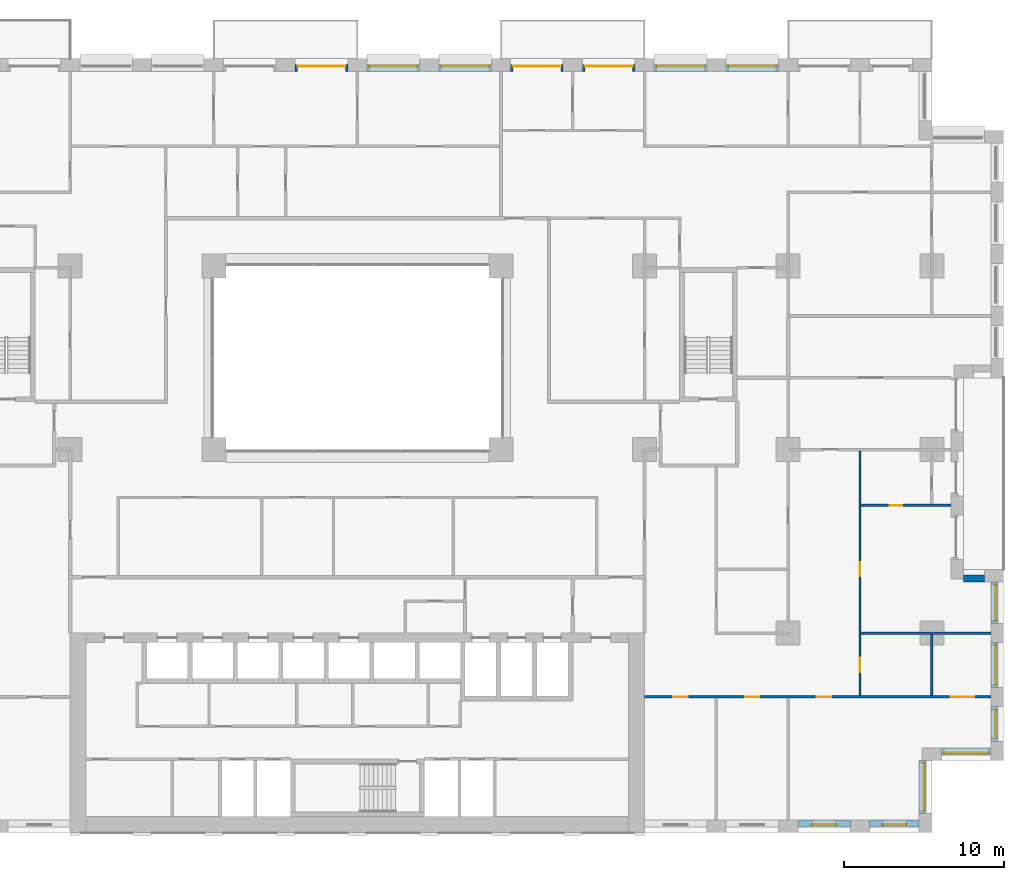
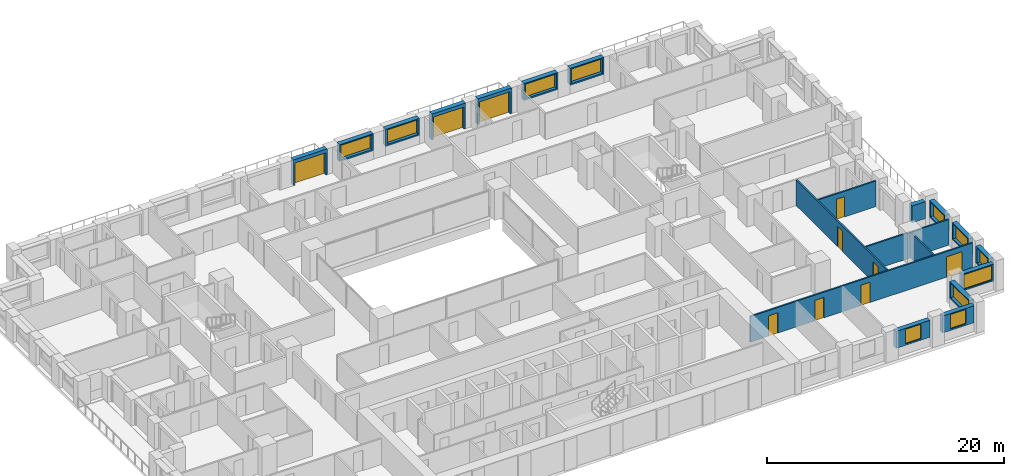
# One storey, part 16 of 20: 20 walls, 11 windows, 10 doors, 21 openings.
"""IFC4 building model written with IfcOpenShell, lengths in metres."""

from ifc_helpers import new_model, si_unit, direction, frame, frame_2d, origin, place, context, subcontext, project, spatial, rectangle, extrude, material, layer, layer_set, type_object, element, fill, save


model = new_model("IFC4")

# Units and contexts
model_context = context("Model", 3, precision=1e-05, world=origin(), true_north=direction((0.0, 1.0)))
body_context = subcontext(model_context, "Body", "Model", "MODEL_VIEW")
ifc_project = project(units=[si_unit("LENGTHUNIT", "METRE"), si_unit("AREAUNIT", "SQUARE_METRE"), si_unit("VOLUMEUNIT", "CUBIC_METRE"), si_unit("PLANEANGLEUNIT", "RADIAN"), si_unit("MASSUNIT", "GRAM", prefix="KILO")], contexts=[model_context])

# Site, building, storey
site_placement = place(None, origin())
site = spatial("IfcSite", under=ifc_project, at=site_placement, CompositionType="ELEMENT")
building_placement = place(site_placement, origin())
building = spatial("IfcBuilding", under=site, at=building_placement, Name="Brigalow Station Residences", CompositionType="ELEMENT")
storey_placement = place(building_placement, frame((0.0, 0.0, 69.89990234375)))
storey = spatial("IfcBuildingStorey", under=building, at=storey_placement, Name="L20", CompositionType="ELEMENT", Elevation=69.89990234375)

# Wall, opening, window
ifc_material_1 = material(Name="Clay brick masonry", Category="masonry")
ifc_layer_1 = layer(ifc_material_1, 0.449951171875)
ifc_layer_set_1 = layer_set([ifc_layer_1], Name="BRICK INFILL WALL 450")
wall_type_1 = type_object("IfcWallType", Name="BRICK INFILL WALL 450", PredefinedType="SOLIDWALL", material=ifc_layer_set_1)
wall_1_placement = place(storey_placement, frame((63.60009765625, 0.574951171875, 0.900146484375), z_axis=(0.0, 0.0, 1.0), x_axis=(1.0, 0.0, 0.0)))
wall_1 = element("IfcWall", 1, at=wall_1_placement, inside=storey, type_object=wall_type_1, Name="L20/ewall/W-L20-7", PredefinedType="SOLIDWALL", context=body_context, shape_type="SweptSolid", body=[
    extrude(rectangle(XDim=3.2998046875, YDim=0.449951171875, at=frame_2d((1.64990234375, 0.0))), origin(), (0.0, 0.0, 1.0), 1.75),
])
opening_1_placement = place(wall_1_placement, frame((0.89990234375, 0.0, 0.14990234375)))
opening_1 = element("IfcOpeningElement", 2, at=opening_1_placement, cuts=wall_1, Name="Opening WT-1", PredefinedType="OPENING", context=body_context, shape_type="SweptSolid", body=[
    extrude(rectangle(XDim=1.5, YDim=1.5, at=frame_2d((0.75, 0.75))), frame((0.0, 0.23486328125, 0.0), z_axis=(0.0, -1.0, 0.0), x_axis=(1.0, 0.0, 0.0)), (0.0, 0.0, 1.0), 0.469970703125),
])
ifc_material_2 = material(Name="Anodised aluminium frame with double glazing", Category="aluminium")
window_type_1 = type_object("IfcWindowType", Name="WINDOW 1500x1500", PartitioningType="SINGLE_PANEL", PredefinedType="WINDOW", material=ifc_material_2)
window_1_placement = place(opening_1_placement, origin())
window_1 = element("IfcWindow", 3, at=window_1_placement, inside=storey, type_object=window_type_1, Name="L20/window/W-L20-7", OverallHeight=1.5, OverallWidth=1.5, PartitioningType="SINGLE_PANEL", PredefinedType="WINDOW", context=body_context, shape_type="SweptSolid", body=[
    extrude(rectangle(XDim=1.5, YDim=1.5, at=frame_2d((0.75, 0.75))), frame((0.0, -0.06494140625, 0.0), z_axis=(0.0, -1.0, 0.0), x_axis=(1.0, 0.0, 0.0)), (0.0, 0.0, 1.0), 0.06005859375),
])
fill(opening_1, window_1)

wall_2_placement = place(storey_placement, frame((68.10009765625, 0.574951171875, 0.900146484375), z_axis=(0.0, 0.0, 1.0), x_axis=(1.0, 0.0, 0.0)))
wall_2 = element("IfcWall", 4, at=wall_2_placement, inside=storey, type_object=wall_type_1, Name="L20/ewall/W-L20-8", PredefinedType="SOLIDWALL", context=body_context, shape_type="SweptSolid", body=[
    extrude(rectangle(XDim=3.099853515625, YDim=0.449951171875, at=frame_2d((1.5498046875, 0.0))), origin(), (0.0, 0.0, 1.0), 1.75),
])
opening_2_placement = place(wall_2_placement, frame((0.800048828125, 0.0, 0.14990234375)))
opening_2 = element("IfcOpeningElement", 5, at=opening_2_placement, cuts=wall_2, Name="Opening WT-1", PredefinedType="OPENING", context=body_context, shape_type="SweptSolid", body=[
    extrude(rectangle(XDim=1.5, YDim=1.5, at=frame_2d((0.75, 0.75))), frame((0.0, 0.23486328125, 0.0), z_axis=(0.0, -1.0, 0.0), x_axis=(1.0, 0.0, 0.0)), (0.0, 0.0, 1.0), 0.469970703125),
])
window_2_placement = place(opening_2_placement, origin())
window_2 = element("IfcWindow", 6, at=window_2_placement, inside=storey, type_object=window_type_1, Name="L20/window/W-L20-8", OverallHeight=1.5, OverallWidth=1.5, PartitioningType="SINGLE_PANEL", PredefinedType="WINDOW", context=body_context, shape_type="SweptSolid", body=[
    extrude(rectangle(XDim=1.5, YDim=1.5, at=frame_2d((0.75, 0.75))), frame((0.0, -0.06494140625, 0.0), z_axis=(0.0, -1.0, 0.0), x_axis=(1.0, 0.0, 0.0)), (0.0, 0.0, 1.0), 0.06005859375),
])
fill(opening_2, window_2)

wall_3_placement = place(storey_placement, frame((71.425048828125, 1.199951171875, 0.900146484375), z_axis=(0.0, 0.0, 1.0), x_axis=(0.0, 1.0, 0.0)))
wall_3 = element("IfcWall", 7, at=wall_3_placement, inside=storey, type_object=wall_type_1, Name="L20/ewall/W-L20-9", PredefinedType="SOLIDWALL", context=body_context, shape_type="SweptSolid", body=[
    extrude(rectangle(XDim=3.300048828125, YDim=0.449951171875, at=frame_2d((1.64990234375, 0.0))), origin(), (0.0, 0.0, 1.0), 1.75),
])
opening_3_placement = place(wall_3_placement, frame((0.14990234375, 0.0, 0.14990234375)))
opening_3 = element("IfcOpeningElement", 8, at=opening_3_placement, cuts=wall_3, Name="Opening WT-2", PredefinedType="OPENING", context=body_context, shape_type="SweptSolid", body=[
    extrude(rectangle(XDim=3.0, YDim=1.5, at=frame_2d((1.5, 0.75))), frame((0.0, 0.23486328125, 0.0), z_axis=(0.0, -1.0, 0.0), x_axis=(1.0, 0.0, 0.0)), (0.0, 0.0, 1.0), 0.469970703125),
])
ifc_material_3 = material(Name="Anodised aluminium frame with double glazing", Category="aluminium")
window_type_2 = type_object("IfcWindowType", Name="WINDOW 3000x1500", PartitioningType="SINGLE_PANEL", PredefinedType="WINDOW", material=ifc_material_3)
window_3_placement = place(opening_3_placement, origin())
window_3 = element("IfcWindow", 9, at=window_3_placement, inside=storey, type_object=window_type_2, Name="L20/window/W-L20-9", OverallHeight=1.5, OverallWidth=3.0, PartitioningType="SINGLE_PANEL", PredefinedType="WINDOW", context=body_context, shape_type="SweptSolid", body=[
    extrude(rectangle(XDim=3.0, YDim=1.5, at=frame_2d((1.5, 0.75))), frame((0.0, -0.06494140625, 0.0), z_axis=(0.0, -1.0, 0.0), x_axis=(1.0, 0.0, 0.0)), (0.0, 0.0, 1.0), 0.06005859375),
])
fill(opening_3, window_3)

wall_4_placement = place(storey_placement, frame((72.60009765625, 5.074951171875, 0.900146484375), z_axis=(0.0, 0.0, 1.0), x_axis=(1.0, 0.0, 0.0)))
wall_4 = element("IfcWall", 10, at=wall_4_placement, inside=storey, type_object=wall_type_1, Name="L20/ewall/W-L20-10", PredefinedType="SOLIDWALL", context=body_context, shape_type="SweptSolid", body=[
    extrude(rectangle(XDim=3.099853515625, YDim=0.449951171875, at=frame_2d((1.5498046875, 0.0))), origin(), (0.0, 0.0, 1.0), 1.75),
])
opening_4_placement = place(wall_4_placement, frame((0.175048828125, 0.0, 0.14990234375)))
opening_4 = element("IfcOpeningElement", 11, at=opening_4_placement, cuts=wall_4, Name="Opening WT-3", PredefinedType="OPENING", context=body_context, shape_type="SweptSolid", body=[
    extrude(rectangle(XDim=2.75, YDim=1.5, at=frame_2d((1.375, 0.75))), frame((0.0, 0.23486328125, 0.0), z_axis=(0.0, -1.0, 0.0), x_axis=(1.0, 0.0, 0.0)), (0.0, 0.0, 1.0), 0.469970703125),
])
ifc_material_4 = material(Name="Anodised aluminium frame with double glazing", Category="aluminium")
window_type_3 = type_object("IfcWindowType", Name="WINDOW 2750x1500", PartitioningType="SINGLE_PANEL", PredefinedType="WINDOW", material=ifc_material_4)
window_4_placement = place(opening_4_placement, origin())
window_4 = element("IfcWindow", 12, at=window_4_placement, inside=storey, type_object=window_type_3, Name="L20/window/W-L20-10", OverallHeight=1.5, OverallWidth=2.75, PartitioningType="SINGLE_PANEL", PredefinedType="WINDOW", context=body_context, shape_type="SweptSolid", body=[
    extrude(rectangle(XDim=2.75, YDim=1.5, at=frame_2d((1.375, 0.75))), frame((0.0, -0.06494140625, 0.0), z_axis=(0.0, -1.0, 0.0), x_axis=(1.0, 0.0, 0.0)), (0.0, 0.0, 1.0), 0.06005859375),
])
fill(opening_4, window_4)

wall_5_placement = place(storey_placement, frame((75.925048828125, 5.699951171875, 0.900146484375), z_axis=(0.0, 0.0, 1.0), x_axis=(0.0, 1.0, 0.0)))
wall_5 = element("IfcWall", 13, at=wall_5_placement, inside=storey, type_object=wall_type_1, Name="L20/ewall/W-L20-11", PredefinedType="SOLIDWALL", context=body_context, shape_type="SweptSolid", body=[
    extrude(rectangle(XDim=2.199951171875, YDim=0.449951171875, at=frame_2d((1.10009765625, 0.0))), origin(), (0.0, 0.0, 1.0), 1.75),
])
opening_5_placement = place(wall_5_placement, frame((0.22509765625, 0.0, 0.14990234375)))
opening_5 = element("IfcOpeningElement", 14, at=opening_5_placement, cuts=wall_5, Name="Opening WT-4", PredefinedType="OPENING", context=body_context, shape_type="SweptSolid", body=[
    extrude(rectangle(XDim=1.75, YDim=1.5, at=frame_2d((0.875, 0.75))), frame((0.0, 0.23486328125, 0.0), z_axis=(0.0, -1.0, 0.0), x_axis=(1.0, 0.0, 0.0)), (0.0, 0.0, 1.0), 0.469970703125),
])
ifc_material_5 = material(Name="Anodised aluminium frame with double glazing", Category="aluminium")
window_type_4 = type_object("IfcWindowType", Name="WINDOW 1750x1500", PartitioningType="SINGLE_PANEL", PredefinedType="WINDOW", material=ifc_material_5)
window_5_placement = place(opening_5_placement, origin())
window_5 = element("IfcWindow", 15, at=window_5_placement, inside=storey, type_object=window_type_4, Name="L20/window/W-L20-11", OverallHeight=1.5, OverallWidth=1.75, PartitioningType="SINGLE_PANEL", PredefinedType="WINDOW", context=body_context, shape_type="SweptSolid", body=[
    extrude(rectangle(XDim=1.75, YDim=1.5, at=frame_2d((0.875, 0.75))), frame((0.0, -0.06494140625, 0.0), z_axis=(0.0, -1.0, 0.0), x_axis=(1.0, 0.0, 0.0)), (0.0, 0.0, 1.0), 0.06005859375),
])
fill(opening_5, window_5)

wall_6_placement = place(storey_placement, frame((75.925048828125, 9.10009765625, 0.900146484375), z_axis=(0.0, 0.0, 1.0), x_axis=(0.0, 1.0, 0.0)))
wall_6 = element("IfcWall", 16, at=wall_6_placement, inside=storey, type_object=wall_type_1, Name="L20/ewall/W-L20-12", PredefinedType="SOLIDWALL", context=body_context, shape_type="SweptSolid", body=[
    extrude(rectangle(XDim=2.7998046875, YDim=0.449951171875, at=frame_2d((1.39990234375, 0.0))), origin(), (0.0, 0.0, 1.0), 1.75),
])
opening_6_placement = place(wall_6_placement, frame((0.14990234375, 0.0, 0.14990234375)))
opening_6 = element("IfcOpeningElement", 17, at=opening_6_placement, cuts=wall_6, Name="Opening WT-5", PredefinedType="OPENING", context=body_context, shape_type="SweptSolid", body=[
    extrude(rectangle(XDim=2.5, YDim=1.5, at=frame_2d((1.25, 0.75))), frame((0.0, 0.23486328125, 0.0), z_axis=(0.0, -1.0, 0.0), x_axis=(1.0, 0.0, 0.0)), (0.0, 0.0, 1.0), 0.469970703125),
])
ifc_material_6 = material(Name="Anodised aluminium frame with double glazing", Category="aluminium")
window_type_5 = type_object("IfcWindowType", Name="WINDOW 2500x1500", PartitioningType="SINGLE_PANEL", PredefinedType="WINDOW", material=ifc_material_6)
window_6_placement = place(opening_6_placement, origin())
window_6 = element("IfcWindow", 18, at=window_6_placement, inside=storey, type_object=window_type_5, Name="L20/window/W-L20-12", OverallHeight=1.5, OverallWidth=2.5, PartitioningType="SINGLE_PANEL", PredefinedType="WINDOW", context=body_context, shape_type="SweptSolid", body=[
    extrude(rectangle(XDim=2.5, YDim=1.5, at=frame_2d((1.25, 0.75))), frame((0.0, -0.06494140625, 0.0), z_axis=(0.0, -1.0, 0.0), x_axis=(1.0, 0.0, 0.0)), (0.0, 0.0, 1.0), 0.06005859375),
])
fill(opening_6, window_6)

wall_7_placement = place(storey_placement, frame((75.925048828125, 13.10009765625, 0.900146484375), z_axis=(0.0, 0.0, 1.0), x_axis=(0.0, 1.0, 0.0)))
wall_7 = element("IfcWall", 19, at=wall_7_placement, inside=storey, type_object=wall_type_1, Name="L20/ewall/W-L20-13", PredefinedType="SOLIDWALL", context=body_context, shape_type="SweptSolid", body=[
    extrude(rectangle(XDim=2.599853515625, YDim=0.449951171875, at=frame_2d((1.2998046875, 0.0))), origin(), (0.0, 0.0, 1.0), 1.75),
])
opening_7_placement = place(wall_7_placement, frame((0.175048828125, 0.0, 0.14990234375)))
opening_7 = element("IfcOpeningElement", 20, at=opening_7_placement, cuts=wall_7, Name="Opening WT-6", PredefinedType="OPENING", context=body_context, shape_type="SweptSolid", body=[
    extrude(rectangle(XDim=2.25, YDim=1.5, at=frame_2d((1.125, 0.75))), frame((0.0, 0.23486328125, 0.0), z_axis=(0.0, -1.0, 0.0), x_axis=(1.0, 0.0, 0.0)), (0.0, 0.0, 1.0), 0.469970703125),
])
ifc_material_7 = material(Name="Anodised aluminium frame with double glazing", Category="aluminium")
window_type_6 = type_object("IfcWindowType", Name="WINDOW 2250x1500", PartitioningType="SINGLE_PANEL", PredefinedType="WINDOW", material=ifc_material_7)
window_7_placement = place(opening_7_placement, origin())
window_7 = element("IfcWindow", 21, at=window_7_placement, inside=storey, type_object=window_type_6, Name="L20/window/W-L20-13", OverallHeight=1.5, OverallWidth=2.25, PartitioningType="SINGLE_PANEL", PredefinedType="WINDOW", context=body_context, shape_type="SweptSolid", body=[
    extrude(rectangle(XDim=2.25, YDim=1.5, at=frame_2d((1.125, 0.75))), frame((0.0, -0.06494140625, 0.0), z_axis=(0.0, -1.0, 0.0), x_axis=(1.0, 0.0, 0.0)), (0.0, 0.0, 1.0), 0.06005859375),
])
fill(opening_7, window_7)

# Wall
wall_8_placement = place(storey_placement, frame((75.300048828125, 15.925048828125, 0.900146484375), z_axis=(0.0, 0.0, 1.0), x_axis=(-1.0, 0.0, 0.0)))
element("IfcWall", 22, at=wall_8_placement, inside=storey, type_object=wall_type_1, Name="L20/ewall/W-L20-14", PredefinedType="SOLIDWALL", context=body_context, shape_type="SweptSolid", body=[
    extrude(rectangle(XDim=1.300048828125, YDim=0.449951171875, at=frame_2d((0.64990234375, 0.0))), origin(), (0.0, 0.0, 1.0), 1.75),
])

# Wall, opening, window
wall_9_placement = place(storey_placement, frame((62.39990234375, 47.925048828125, 0.900146484375), z_axis=(0.0, 0.0, 1.0), x_axis=(-1.0, 0.0, 0.0)))
wall_9 = element("IfcWall", 23, at=wall_9_placement, inside=storey, type_object=wall_type_1, Name="L20/ewall/W-L20-27", PredefinedType="SOLIDWALL", context=body_context, shape_type="SweptSolid", body=[
    extrude(rectangle(XDim=3.2998046875, YDim=0.449951171875, at=frame_2d((1.64990234375, 0.0))), origin(), (0.0, 0.0, 1.0), 1.75),
])
opening_8_placement = place(wall_9_placement, frame((0.14990234375, 0.0, 0.14990234375)))
opening_8 = element("IfcOpeningElement", 24, at=opening_8_placement, cuts=wall_9, Name="Opening WT-2", PredefinedType="OPENING", context=body_context, shape_type="SweptSolid", body=[
    extrude(rectangle(XDim=3.0, YDim=1.5, at=frame_2d((1.5, 0.75))), frame((0.0, 0.23486328125, 0.0), z_axis=(0.0, -1.0, 0.0), x_axis=(1.0, 0.0, 0.0)), (0.0, 0.0, 1.0), 0.469970703125),
])
window_8_placement = place(opening_8_placement, origin())
window_8 = element("IfcWindow", 25, at=window_8_placement, inside=storey, type_object=window_type_2, Name="L20/window/W-L20-27", OverallHeight=1.5, OverallWidth=3.0, PartitioningType="SINGLE_PANEL", PredefinedType="WINDOW", context=body_context, shape_type="SweptSolid", body=[
    extrude(rectangle(XDim=3.0, YDim=1.5, at=frame_2d((1.5, 0.75))), frame((0.0, -0.06494140625, 0.0), z_axis=(0.0, -1.0, 0.0), x_axis=(1.0, 0.0, 0.0)), (0.0, 0.0, 1.0), 0.06005859375),
])
fill(opening_8, window_8)

wall_10_placement = place(storey_placement, frame((57.89990234375, 47.925048828125, 0.900146484375), z_axis=(0.0, 0.0, 1.0), x_axis=(-1.0, 0.0, 0.0)))
wall_10 = element("IfcWall", 26, at=wall_10_placement, inside=storey, type_object=wall_type_1, Name="L20/ewall/W-L20-28", PredefinedType="SOLIDWALL", context=body_context, shape_type="SweptSolid", body=[
    extrude(rectangle(XDim=3.2998046875, YDim=0.449951171875, at=frame_2d((1.64990234375, 0.0))), origin(), (0.0, 0.0, 1.0), 1.75),
])
opening_9_placement = place(wall_10_placement, frame((0.14990234375, 0.0, 0.14990234375)))
opening_9 = element("IfcOpeningElement", 27, at=opening_9_placement, cuts=wall_10, Name="Opening WT-2", PredefinedType="OPENING", context=body_context, shape_type="SweptSolid", body=[
    extrude(rectangle(XDim=3.0, YDim=1.5, at=frame_2d((1.5, 0.75))), frame((0.0, 0.23486328125, 0.0), z_axis=(0.0, -1.0, 0.0), x_axis=(1.0, 0.0, 0.0)), (0.0, 0.0, 1.0), 0.469970703125),
])
window_9_placement = place(opening_9_placement, origin())
window_9 = element("IfcWindow", 28, at=window_9_placement, inside=storey, type_object=window_type_2, Name="L20/window/W-L20-28", OverallHeight=1.5, OverallWidth=3.0, PartitioningType="SINGLE_PANEL", PredefinedType="WINDOW", context=body_context, shape_type="SweptSolid", body=[
    extrude(rectangle(XDim=3.0, YDim=1.5, at=frame_2d((1.5, 0.75))), frame((0.0, -0.06494140625, 0.0), z_axis=(0.0, -1.0, 0.0), x_axis=(1.0, 0.0, 0.0)), (0.0, 0.0, 1.0), 0.06005859375),
])
fill(opening_9, window_9)

# Wall, opening, door
wall_11_placement = place(storey_placement, frame((53.39990234375, 47.925048828125, 0.0), z_axis=(0.0, 0.0, 1.0), x_axis=(-1.0, 0.0, 0.0)))
wall_11 = element("IfcWall", 29, at=wall_11_placement, inside=storey, type_object=wall_type_1, Name="L20/ewall/W-L20-29", PredefinedType="SOLIDWALL", context=body_context, shape_type="SweptSolid", body=[
    extrude(rectangle(XDim=3.2998046875, YDim=0.449951171875, at=frame_2d((1.64990234375, 0.0))), origin(), (0.0, 0.0, 1.0), 2.650146484375),
])
opening_10_placement = place(wall_11_placement, frame((0.14990234375, 0.0, 0.0)))
opening_10 = element("IfcOpeningElement", 30, at=opening_10_placement, cuts=wall_11, Name="Opening D-B3000", PredefinedType="OPENING", context=body_context, shape_type="SweptSolid", body=[
    extrude(rectangle(XDim=3.0, YDim=2.300048828125, at=frame_2d((1.5, 1.14990234375))), frame((0.0, 0.23486328125, 0.0), z_axis=(0.0, -1.0, 0.0), x_axis=(1.0, 0.0, 0.0)), (0.0, 0.0, 1.0), 0.469970703125),
])
ifc_material_8 = material(Name="Anodised aluminium frame with double glazing", Category="aluminium")
door_type_1 = type_object("IfcDoorType", Name="BALCONY SLIDING DOOR 3000x2300", OperationType="SLIDING_TO_LEFT", PredefinedType="DOOR", material=ifc_material_8)
door_1_placement = place(opening_10_placement, origin())
door_1 = element("IfcDoor", 31, at=door_1_placement, inside=storey, type_object=door_type_1, Name="L20/balcony-door/W-L20-29", OperationType="SLIDING_TO_LEFT", OverallHeight=2.300048828125, OverallWidth=3.0, PredefinedType="DOOR", context=body_context, shape_type="SweptSolid", body=[
    extrude(rectangle(XDim=3.0, YDim=2.300048828125, at=frame_2d((1.5, 1.14990234375))), frame((0.0, -0.06982421875, 0.0), z_axis=(0.0, -1.0, 0.0), x_axis=(1.0, 0.0, 0.0)), (0.0, 0.0, 1.0), 0.050048828125),
])
fill(opening_10, door_1)

wall_12_placement = place(storey_placement, frame((48.89990234375, 47.925048828125, 0.0), z_axis=(0.0, 0.0, 1.0), x_axis=(-1.0, 0.0, 0.0)))
wall_12 = element("IfcWall", 32, at=wall_12_placement, inside=storey, type_object=wall_type_1, Name="L20/ewall/W-L20-30", PredefinedType="SOLIDWALL", context=body_context, shape_type="SweptSolid", body=[
    extrude(rectangle(XDim=3.2998046875, YDim=0.449951171875, at=frame_2d((1.64990234375, 0.0))), origin(), (0.0, 0.0, 1.0), 2.650146484375),
])
opening_11_placement = place(wall_12_placement, frame((0.14990234375, 0.0, 0.0)))
opening_11 = element("IfcOpeningElement", 33, at=opening_11_placement, cuts=wall_12, Name="Opening D-B3000", PredefinedType="OPENING", context=body_context, shape_type="SweptSolid", body=[
    extrude(rectangle(XDim=3.0, YDim=2.300048828125, at=frame_2d((1.5, 1.14990234375))), frame((0.0, 0.23486328125, 0.0), z_axis=(0.0, -1.0, 0.0), x_axis=(1.0, 0.0, 0.0)), (0.0, 0.0, 1.0), 0.469970703125),
])
door_2_placement = place(opening_11_placement, origin())
door_2 = element("IfcDoor", 34, at=door_2_placement, inside=storey, type_object=door_type_1, Name="L20/balcony-door/W-L20-30", OperationType="SLIDING_TO_LEFT", OverallHeight=2.300048828125, OverallWidth=3.0, PredefinedType="DOOR", context=body_context, shape_type="SweptSolid", body=[
    extrude(rectangle(XDim=3.0, YDim=2.300048828125, at=frame_2d((1.5, 1.14990234375))), frame((0.0, -0.06982421875, 0.0), z_axis=(0.0, -1.0, 0.0), x_axis=(1.0, 0.0, 0.0)), (0.0, 0.0, 1.0), 0.050048828125),
])
fill(opening_11, door_2)

# Wall, opening, window
wall_13_placement = place(storey_placement, frame((44.39990234375, 47.925048828125, 0.900146484375), z_axis=(0.0, 0.0, 1.0), x_axis=(-1.0, 0.0, 0.0)))
wall_13 = element("IfcWall", 35, at=wall_13_placement, inside=storey, type_object=wall_type_1, Name="L20/ewall/W-L20-31", PredefinedType="SOLIDWALL", context=body_context, shape_type="SweptSolid", body=[
    extrude(rectangle(XDim=3.2998046875, YDim=0.449951171875, at=frame_2d((1.64990234375, 0.0))), origin(), (0.0, 0.0, 1.0), 1.75),
])
opening_12_placement = place(wall_13_placement, frame((0.14990234375, 0.0, 0.14990234375)))
opening_12 = element("IfcOpeningElement", 36, at=opening_12_placement, cuts=wall_13, Name="Opening WT-2", PredefinedType="OPENING", context=body_context, shape_type="SweptSolid", body=[
    extrude(rectangle(XDim=3.0, YDim=1.5, at=frame_2d((1.5, 0.75))), frame((0.0, 0.23486328125, 0.0), z_axis=(0.0, -1.0, 0.0), x_axis=(1.0, 0.0, 0.0)), (0.0, 0.0, 1.0), 0.469970703125),
])
window_10_placement = place(opening_12_placement, origin())
window_10 = element("IfcWindow", 37, at=window_10_placement, inside=storey, type_object=window_type_2, Name="L20/window/W-L20-31", OverallHeight=1.5, OverallWidth=3.0, PartitioningType="SINGLE_PANEL", PredefinedType="WINDOW", context=body_context, shape_type="SweptSolid", body=[
    extrude(rectangle(XDim=3.0, YDim=1.5, at=frame_2d((1.5, 0.75))), frame((0.0, -0.06494140625, 0.0), z_axis=(0.0, -1.0, 0.0), x_axis=(1.0, 0.0, 0.0)), (0.0, 0.0, 1.0), 0.06005859375),
])
fill(opening_12, window_10)

wall_14_placement = place(storey_placement, frame((39.89990234375, 47.925048828125, 0.900146484375), z_axis=(0.0, 0.0, 1.0), x_axis=(-1.0, 0.0, 0.0)))
wall_14 = element("IfcWall", 38, at=wall_14_placement, inside=storey, type_object=wall_type_1, Name="L20/ewall/W-L20-32", PredefinedType="SOLIDWALL", context=body_context, shape_type="SweptSolid", body=[
    extrude(rectangle(XDim=3.2998046875, YDim=0.449951171875, at=frame_2d((1.64990234375, 0.0))), origin(), (0.0, 0.0, 1.0), 1.75),
])
opening_13_placement = place(wall_14_placement, frame((0.14990234375, 0.0, 0.14990234375)))
opening_13 = element("IfcOpeningElement", 39, at=opening_13_placement, cuts=wall_14, Name="Opening WT-2", PredefinedType="OPENING", context=body_context, shape_type="SweptSolid", body=[
    extrude(rectangle(XDim=3.0, YDim=1.5, at=frame_2d((1.5, 0.75))), frame((0.0, 0.23486328125, 0.0), z_axis=(0.0, -1.0, 0.0), x_axis=(1.0, 0.0, 0.0)), (0.0, 0.0, 1.0), 0.469970703125),
])
window_11_placement = place(opening_13_placement, origin())
window_11 = element("IfcWindow", 40, at=window_11_placement, inside=storey, type_object=window_type_2, Name="L20/window/W-L20-32", OverallHeight=1.5, OverallWidth=3.0, PartitioningType="SINGLE_PANEL", PredefinedType="WINDOW", context=body_context, shape_type="SweptSolid", body=[
    extrude(rectangle(XDim=3.0, YDim=1.5, at=frame_2d((1.5, 0.75))), frame((0.0, -0.06494140625, 0.0), z_axis=(0.0, -1.0, 0.0), x_axis=(1.0, 0.0, 0.0)), (0.0, 0.0, 1.0), 0.06005859375),
])
fill(opening_13, window_11)

# Wall, opening, door
wall_15_placement = place(storey_placement, frame((35.39990234375, 47.925048828125, 0.0), z_axis=(0.0, 0.0, 1.0), x_axis=(-1.0, 0.0, 0.0)))
wall_15 = element("IfcWall", 41, at=wall_15_placement, inside=storey, type_object=wall_type_1, Name="L20/ewall/W-L20-33", PredefinedType="SOLIDWALL", context=body_context, shape_type="SweptSolid", body=[
    extrude(rectangle(XDim=3.2998046875, YDim=0.449951171875, at=frame_2d((1.64990234375, 0.0))), origin(), (0.0, 0.0, 1.0), 2.650146484375),
])
opening_14_placement = place(wall_15_placement, frame((0.14990234375, 0.0, 0.0)))
opening_14 = element("IfcOpeningElement", 42, at=opening_14_placement, cuts=wall_15, Name="Opening D-B3000", PredefinedType="OPENING", context=body_context, shape_type="SweptSolid", body=[
    extrude(rectangle(XDim=3.0, YDim=2.300048828125, at=frame_2d((1.5, 1.14990234375))), frame((0.0, 0.23486328125, 0.0), z_axis=(0.0, -1.0, 0.0), x_axis=(1.0, 0.0, 0.0)), (0.0, 0.0, 1.0), 0.469970703125),
])
door_3_placement = place(opening_14_placement, origin())
door_3 = element("IfcDoor", 43, at=door_3_placement, inside=storey, type_object=door_type_1, Name="L20/balcony-door/W-L20-33", OperationType="SLIDING_TO_LEFT", OverallHeight=2.300048828125, OverallWidth=3.0, PredefinedType="DOOR", context=body_context, shape_type="SweptSolid", body=[
    extrude(rectangle(XDim=3.0, YDim=2.300048828125, at=frame_2d((1.5, 1.14990234375))), frame((0.0, -0.06982421875, 0.0), z_axis=(0.0, -1.0, 0.0), x_axis=(1.0, 0.0, 0.0)), (0.0, 0.0, 1.0), 0.050048828125),
])
fill(opening_14, door_3)

# Wall, openings, doors
ifc_material_9 = material(Name="Plasterboard on steel stud partition", Category="steel")
ifc_layer_2 = layer(ifc_material_9, 0.14990234375)
ifc_layer_set_2 = layer_set([ifc_layer_2], Name="FLAT PARTITION 150")
wall_type_2 = type_object("IfcWallType", Name="FLAT PARTITION 150", PredefinedType="PARTITIONING", material=ifc_layer_set_2)
wall_16_placement = place(storey_placement, frame((54.0, 8.5, 0.0), z_axis=(0.0, 0.0, 1.0), x_axis=(1.0, 0.0, 0.0)))
wall_16 = element("IfcWall", 44, at=wall_16_placement, inside=storey, type_object=wall_type_2, Name="PW-1G11", PredefinedType="PARTITIONING", context=body_context, shape_type="SweptSolid", body=[
    extrude(rectangle(XDim=21.699951171875, YDim=0.14990234375, at=frame_2d((10.85009765625, 0.0))), origin(), (0.0, 0.0, 1.0), 2.650146484375),
])
opening_15_placement = place(wall_16_placement, frame((6.300048828125, 0.0, 0.0)))
opening_15 = element("IfcOpeningElement", 45, at=opening_15_placement, cuts=wall_16, Name="Opening D-1G53", PredefinedType="OPENING", context=body_context, shape_type="SweptSolid", body=[
    extrude(rectangle(XDim=0.89990234375, YDim=2.10009765625, at=frame_2d((0.449951171875, 1.050048828125))), frame((0.0, 0.0849609375, 0.0), z_axis=(0.0, -1.0, 0.0), x_axis=(1.0, 0.0, 0.0)), (0.0, 0.0, 1.0), 0.169921875),
])
opening_16_placement = place(wall_16_placement, frame((1.800048828125, 0.0, 0.0)))
opening_16 = element("IfcOpeningElement", 46, at=opening_16_placement, cuts=wall_16, Name="Opening D-1G58", PredefinedType="OPENING", context=body_context, shape_type="SweptSolid", body=[
    extrude(rectangle(XDim=0.89990234375, YDim=2.10009765625, at=frame_2d((0.449951171875, 1.050048828125))), frame((0.0, 0.0849609375, 0.0), z_axis=(0.0, -1.0, 0.0), x_axis=(1.0, 0.0, 0.0)), (0.0, 0.0, 1.0), 0.169921875),
])
opening_17_placement = place(wall_16_placement, frame((10.800048828125, 0.0, 0.0)))
opening_17 = element("IfcOpeningElement", 47, at=opening_17_placement, cuts=wall_16, Name="Opening D-1G59", PredefinedType="OPENING", context=body_context, shape_type="SweptSolid", body=[
    extrude(rectangle(XDim=0.89990234375, YDim=2.10009765625, at=frame_2d((0.449951171875, 1.050048828125))), frame((0.0, 0.0849609375, 0.0), z_axis=(0.0, -1.0, 0.0), x_axis=(1.0, 0.0, 0.0)), (0.0, 0.0, 1.0), 0.169921875),
])
opening_18_placement = place(wall_16_placement, frame((19.175048828125, 0.0, 0.0)))
opening_18 = element("IfcOpeningElement", 48, at=opening_18_placement, cuts=wall_16, Name="Opening D-1G63", PredefinedType="OPENING", context=body_context, shape_type="SweptSolid", body=[
    extrude(rectangle(XDim=1.5, YDim=2.10009765625, at=frame_2d((0.75, 1.050048828125))), frame((0.0, 0.0849609375, 0.0), z_axis=(0.0, -1.0, 0.0), x_axis=(1.0, 0.0, 0.0)), (0.0, 0.0, 1.0), 0.169921875),
])
ifc_material_10 = material(Name="Solid-core timber door leaf", Category="wood")
door_type_2 = type_object("IfcDoorType", Name="INTERNAL DOOR 900 x 2100", OperationType="SINGLE_SWING_LEFT", PredefinedType="DOOR", material=ifc_material_10)
door_4_placement = place(opening_15_placement, frame((0.89990234375, 0.0, 0.0), z_axis=(0.0, 0.0, 1.0), x_axis=(-1.0, 0.0, 0.0)))
door_4 = element("IfcDoor", 49, at=door_4_placement, inside=storey, type_object=door_type_2, Name="D-1G53", OperationType="SINGLE_SWING_LEFT", OverallHeight=2.10009765625, OverallWidth=0.89990234375, PredefinedType="DOOR", context=body_context, shape_type="SweptSolid", body=[
    extrude(rectangle(XDim=0.89990234375, YDim=2.10009765625, at=frame_2d((0.449951171875, 1.050048828125))), frame((0.0, 0.02490234375, 0.0), z_axis=(0.0, -1.0, 0.0), x_axis=(1.0, 0.0, 0.0)), (0.0, 0.0, 1.0), 0.050048828125),
])
fill(opening_15, door_4)
door_5_placement = place(opening_16_placement, frame((0.89990234375, 0.0, 0.0), z_axis=(0.0, 0.0, 1.0), x_axis=(-1.0, 0.0, 0.0)))
door_5 = element("IfcDoor", 50, at=door_5_placement, inside=storey, type_object=door_type_2, Name="D-1G58", OperationType="SINGLE_SWING_LEFT", OverallHeight=2.10009765625, OverallWidth=0.89990234375, PredefinedType="DOOR", context=body_context, shape_type="SweptSolid", body=[
    extrude(rectangle(XDim=0.89990234375, YDim=2.10009765625, at=frame_2d((0.449951171875, 1.050048828125))), frame((0.0, 0.02490234375, 0.0), z_axis=(0.0, -1.0, 0.0), x_axis=(1.0, 0.0, 0.0)), (0.0, 0.0, 1.0), 0.050048828125),
])
fill(opening_16, door_5)
door_6_placement = place(opening_17_placement, frame((0.89990234375, 0.0, 0.0), z_axis=(0.0, 0.0, 1.0), x_axis=(-1.0, 0.0, 0.0)))
door_6 = element("IfcDoor", 51, at=door_6_placement, inside=storey, type_object=door_type_2, Name="D-1G59", OperationType="SINGLE_SWING_RIGHT", OverallHeight=2.10009765625, OverallWidth=0.89990234375, PredefinedType="DOOR", context=body_context, shape_type="SweptSolid", body=[
    extrude(rectangle(XDim=0.89990234375, YDim=2.10009765625, at=frame_2d((0.449951171875, 1.050048828125))), frame((0.0, 0.02490234375, 0.0), z_axis=(0.0, -1.0, 0.0), x_axis=(1.0, 0.0, 0.0)), (0.0, 0.0, 1.0), 0.050048828125),
])
fill(opening_17, door_6)
ifc_material_11 = material(Name="Solid-core timber door leaf", Category="wood")
door_type_3 = type_object("IfcDoorType", Name="INTERNAL DOUBLE DOOR 1500 x 2100", OperationType="DOUBLE_DOOR_SINGLE_SWING", PredefinedType="DOOR", material=ifc_material_11)
door_7_placement = place(opening_18_placement, origin())
door_7 = element("IfcDoor", 52, at=door_7_placement, inside=storey, type_object=door_type_3, Name="D-1G63", OperationType="DOUBLE_DOOR_SINGLE_SWING", OverallHeight=2.10009765625, OverallWidth=1.5, PredefinedType="DOOR", context=body_context, shape_type="SweptSolid", body=[
    extrude(rectangle(XDim=1.5, YDim=2.10009765625, at=frame_2d((0.75, 1.050048828125))), frame((0.0, 0.02490234375, 0.0), z_axis=(0.0, -1.0, 0.0), x_axis=(1.0, 0.0, 0.0)), (0.0, 0.0, 1.0), 0.050048828125),
])
fill(opening_18, door_7)

# Wall
wall_17_placement = place(storey_placement, frame((67.574951171875, 12.5, 0.0), z_axis=(0.0, 0.0, 1.0), x_axis=(1.0, 0.0, 0.0)))
element("IfcWall", 53, at=wall_17_placement, inside=storey, type_object=wall_type_2, Name="PW-1G14", PredefinedType="PARTITIONING", context=body_context, shape_type="SweptSolid", body=[
    extrude(rectangle(XDim=8.125, YDim=0.14990234375, at=frame_2d((4.0625, 0.0))), origin(), (0.0, 0.0, 1.0), 2.650146484375),
])

# Wall, opening, door
wall_18_placement = place(storey_placement, frame((67.574951171875, 20.5, 0.0), z_axis=(0.0, 0.0, 1.0), x_axis=(1.0, 0.0, 0.0)))
wall_18 = element("IfcWall", 54, at=wall_18_placement, inside=storey, type_object=wall_type_2, Name="PW-1G16", PredefinedType="PARTITIONING", context=body_context, shape_type="SweptSolid", body=[
    extrude(rectangle(XDim=5.625, YDim=0.14990234375, at=frame_2d((2.8125, 0.0))), origin(), (0.0, 0.0, 1.0), 2.650146484375),
])
opening_19_placement = place(wall_18_placement, frame((1.77490234375, 0.0, 0.0)))
opening_19 = element("IfcOpeningElement", 55, at=opening_19_placement, cuts=wall_18, Name="Opening D-1G56", PredefinedType="OPENING", context=body_context, shape_type="SweptSolid", body=[
    extrude(rectangle(XDim=0.800048828125, YDim=2.10009765625, at=frame_2d((0.39990234375, 1.050048828125))), frame((0.0, 0.0849609375, 0.0), z_axis=(0.0, -1.0, 0.0), x_axis=(1.0, 0.0, 0.0)), (0.0, 0.0, 1.0), 0.169921875),
])
ifc_material_12 = material(Name="Solid-core timber door leaf", Category="wood")
door_type_4 = type_object("IfcDoorType", Name="INTERNAL DOOR 800 x 2100", OperationType="SINGLE_SWING_LEFT", PredefinedType="DOOR", material=ifc_material_12)
door_8_placement = place(opening_19_placement, origin())
door_8 = element("IfcDoor", 56, at=door_8_placement, inside=storey, type_object=door_type_4, Name="D-1G56", OperationType="SINGLE_SWING_RIGHT", OverallHeight=2.10009765625, OverallWidth=0.800048828125, PredefinedType="DOOR", context=body_context, shape_type="SweptSolid", body=[
    extrude(rectangle(XDim=0.800048828125, YDim=2.10009765625, at=frame_2d((0.39990234375, 1.050048828125))), frame((0.0, 0.02490234375, 0.0), z_axis=(0.0, -1.0, 0.0), x_axis=(1.0, 0.0, 0.0)), (0.0, 0.0, 1.0), 0.050048828125),
])
fill(opening_19, door_8)

# Wall
wall_19_placement = place(storey_placement, frame((72.0, 8.574951171875, 0.0), z_axis=(0.0, 0.0, 1.0), x_axis=(0.0, 1.0, 0.0)))
element("IfcWall", 57, at=wall_19_placement, inside=storey, type_object=wall_type_2, Name="PW-1G72", PredefinedType="PARTITIONING", context=body_context, shape_type="SweptSolid", body=[
    extrude(rectangle(XDim=3.85009765625, YDim=0.14990234375, at=frame_2d((1.925048828125, 0.0))), origin(), (0.0, 0.0, 1.0), 2.650146484375),
])

# Wall, openings, doors
wall_20_placement = place(storey_placement, frame((67.5, 8.574951171875, 0.0), z_axis=(0.0, 0.0, 1.0), x_axis=(0.0, 1.0, 0.0)))
wall_20 = element("IfcWall", 58, at=wall_20_placement, inside=storey, type_object=wall_type_2, Name="PW-1G77", PredefinedType="PARTITIONING", context=body_context, shape_type="SweptSolid", body=[
    extrude(rectangle(XDim=15.35009765625, YDim=0.14990234375, at=frame_2d((7.675048828125, 0.0))), origin(), (0.0, 0.0, 1.0), 2.650146484375),
])
opening_20_placement = place(wall_20_placement, frame((7.47509765625, 0.0, 0.0)))
opening_20 = element("IfcOpeningElement", 59, at=opening_20_placement, cuts=wall_20, Name="Opening D-1G60", PredefinedType="OPENING", context=body_context, shape_type="SweptSolid", body=[
    extrude(rectangle(XDim=0.89990234375, YDim=2.10009765625, at=frame_2d((0.449951171875, 1.050048828125))), frame((0.0, 0.0849609375, 0.0), z_axis=(0.0, -1.0, 0.0), x_axis=(1.0, 0.0, 0.0)), (0.0, 0.0, 1.0), 0.169921875),
])
opening_21_placement = place(wall_20_placement, frame((1.47509765625, 0.0, 0.0)))
opening_21 = element("IfcOpeningElement", 60, at=opening_21_placement, cuts=wall_20, Name="Opening D-1G61", PredefinedType="OPENING", context=body_context, shape_type="SweptSolid", body=[
    extrude(rectangle(XDim=0.89990234375, YDim=2.10009765625, at=frame_2d((0.449951171875, 1.050048828125))), frame((0.0, 0.0849609375, 0.0), z_axis=(0.0, -1.0, 0.0), x_axis=(1.0, 0.0, 0.0)), (0.0, 0.0, 1.0), 0.169921875),
])
door_9_placement = place(opening_20_placement, frame((0.89990234375, 0.0, 0.0), z_axis=(0.0, 0.0, 1.0), x_axis=(-1.0, 0.0, 0.0)))
door_9 = element("IfcDoor", 61, at=door_9_placement, inside=storey, type_object=door_type_2, Name="D-1G60", OperationType="SINGLE_SWING_LEFT", OverallHeight=2.10009765625, OverallWidth=0.89990234375, PredefinedType="DOOR", context=body_context, shape_type="SweptSolid", body=[
    extrude(rectangle(XDim=0.89990234375, YDim=2.10009765625, at=frame_2d((0.449951171875, 1.050048828125))), frame((0.0, 0.02490234375, 0.0), z_axis=(0.0, -1.0, 0.0), x_axis=(1.0, 0.0, 0.0)), (0.0, 0.0, 1.0), 0.050048828125),
])
fill(opening_20, door_9)
door_10_placement = place(opening_21_placement, frame((0.89990234375, 0.0, 0.0), z_axis=(0.0, 0.0, 1.0), x_axis=(-1.0, 0.0, 0.0)))
door_10 = element("IfcDoor", 62, at=door_10_placement, inside=storey, type_object=door_type_2, Name="D-1G61", OperationType="SINGLE_SWING_RIGHT", OverallHeight=2.10009765625, OverallWidth=0.89990234375, PredefinedType="DOOR", context=body_context, shape_type="SweptSolid", body=[
    extrude(rectangle(XDim=0.89990234375, YDim=2.10009765625, at=frame_2d((0.449951171875, 1.050048828125))), frame((0.0, 0.02490234375, 0.0), z_axis=(0.0, -1.0, 0.0), x_axis=(1.0, 0.0, 0.0)), (0.0, 0.0, 1.0), 0.050048828125),
])
fill(opening_21, door_10)

save(model, "model.ifc")
